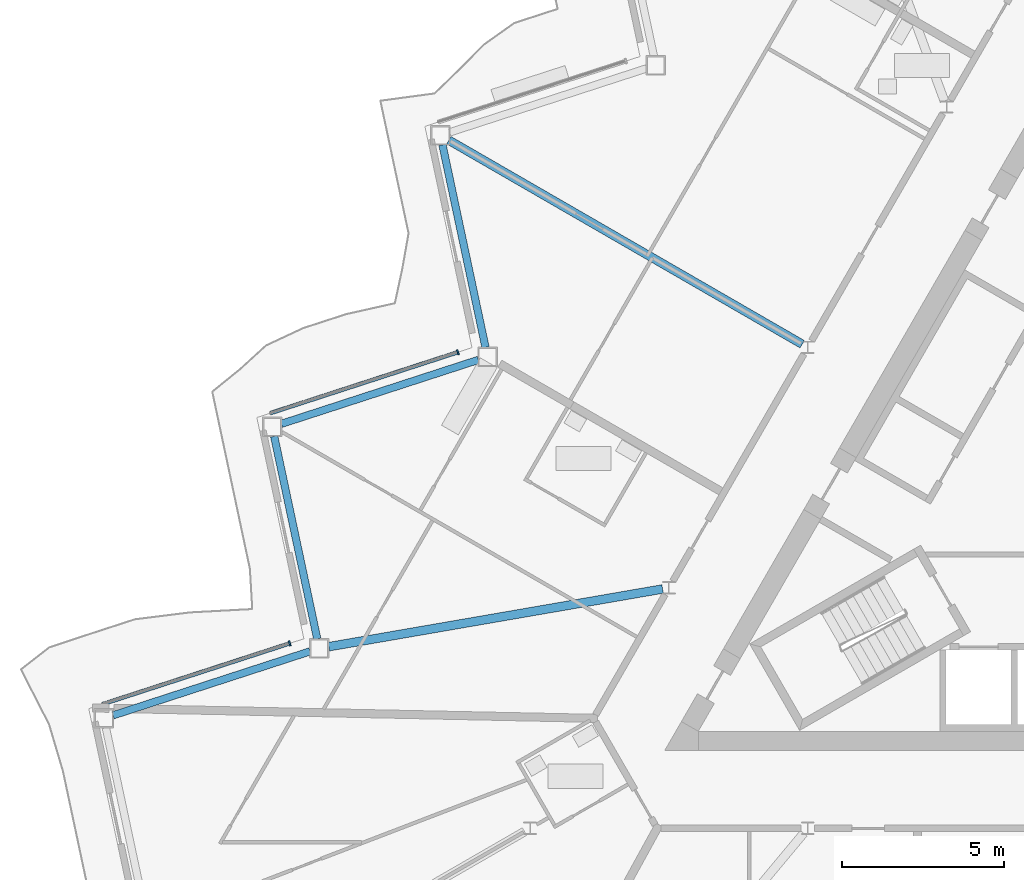
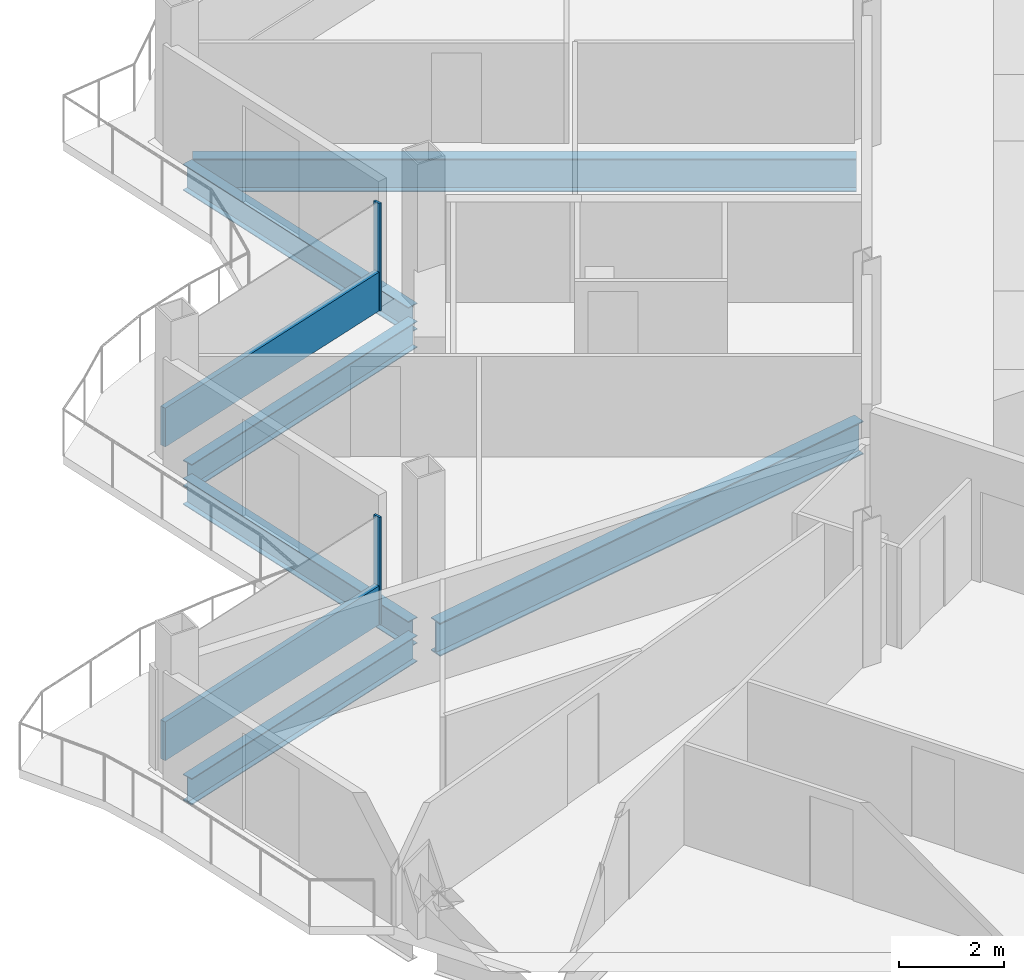
# One storey, part 6 of 27: 6 beams, 4 members, 2 elements without a shape of their own.
"""IFC4 building model written with IfcOpenShell, lengths in metres."""

from ifc_helpers import new_model, si_unit, direction, frame, origin, origin_2d, place, context, subcontext, project, spatial, rectangle, i_section, extrude, material, layer, layer_set, material_profile, profile_set, type_object, element, aggregate, save


model = new_model("IFC4")

# Units and contexts
model_context = context("Model", 3, precision=1e-05, world=origin(), true_north=direction((0.0, 1.0)))
body_context = subcontext(model_context, "Body", "Model", "MODEL_VIEW")
ifc_project = project(units=[si_unit("LENGTHUNIT", "METRE"), si_unit("AREAUNIT", "SQUARE_METRE"), si_unit("VOLUMEUNIT", "CUBIC_METRE"), si_unit("PLANEANGLEUNIT", "RADIAN"), si_unit("MASSUNIT", "GRAM", prefix="KILO")], contexts=[model_context])

# Site, building, storey
site_placement = place(None, origin())
site = spatial("IfcSite", under=ifc_project, at=site_placement, CompositionType="ELEMENT")
building_placement = place(site_placement, origin())
building = spatial("IfcBuilding", under=site, at=building_placement, Name="Cormorant Prow Tower", CompositionType="ELEMENT")
storey_placement = place(building_placement, frame((0.0, 0.0, 318.800048828125)))
storey = spatial("IfcBuildingStorey", under=building, at=storey_placement, Name="L70", CompositionType="ELEMENT", Elevation=318.800048828125)

# Beams
ifc_material_1 = material(Name="Structural steel ASTM A992 Gr 50", Category="steel")
ifc_material_profile_1 = material_profile(ifc_material_1, i_section(OverallWidth=0.267822265625, OverallDepth=0.77001953125, WebThickness=0.015625, FlangeThickness=0.025390625, at=origin_2d()), Name="W30x132")
ifc_profile_set_1 = profile_set([ifc_material_profile_1], Name="Structural steel ASTM A992 Gr 50")
beam_type_1 = type_object("IfcBeamType", Name="Radial floor beam W30x132", PredefinedType="BEAM", material=ifc_profile_set_1)
beam_1_placement = place(storey_placement, frame((-8.749755859375, 5.051513671875, -0.68505859375), z_axis=(-0.866021086443, 0.50000747778, 0.0), x_axis=(-0.50000747778, -0.866021086443, 0.0)))
element("IfcBeam", 1, at=beam_1_placement, inside=storey, type_object=beam_type_1, Name="Radial floor beam FB3 3 L70", PredefinedType="BEAM", context=body_context, shape_type="SweptSolid", body=[
    extrude(i_section(OverallWidth=0.267822265625, OverallDepth=0.77001953125, WebThickness=0.015625, FlangeThickness=0.025390625, at=origin_2d()), origin(), (0.0, 0.0, 1.0), 12.604736328125),
])
beam_2_placement = place(storey_placement, frame((-13.0625, -2.510009765625, -0.68505859375), z_axis=(-0.985379592304, -0.170373293304, 0.0), x_axis=(0.170373293304, -0.985379592304, 0.0)))
element("IfcBeam", 2, at=beam_2_placement, inside=storey, type_object=beam_type_1, Name="Radial floor beam FB3 4 L70", PredefinedType="BEAM", context=body_context, shape_type="SweptSolid", body=[
    extrude(i_section(OverallWidth=0.267822265625, OverallDepth=0.77001953125, WebThickness=0.015625, FlangeThickness=0.025390625, at=origin_2d()), origin(), (0.0, 0.0, 1.0), 10.465087890625),
])

# Curtain wall, member
ifc_material_2 = material(Name="Aluminium 6063-T6", Category="aluminium")
ifc_layer = layer(ifc_material_2, 0.159912109375)
ifc_layer_set = layer_set([ifc_layer], Name="Aluminium 6063-T6")
curtain_wall_type = type_object("IfcCurtainWallType", Name="Residential unitised curtain wall 160", PredefinedType="NOTDEFINED", material=ifc_layer_set)
curtain_wall_1_placement = place(storey_placement, origin())
curtain_wall_1 = element("IfcCurtainWall", 3, at=curtain_wall_1_placement, inside=storey, type_object=curtain_wall_type, Name="Residential curtain wall WNW06", PredefinedType="NOTDEFINED")
ifc_material_3 = material(Name="Aluminium 6063-T6", Category="aluminium")
ifc_material_profile_2 = material_profile(ifc_material_3, rectangle(XDim=0.159912109375, YDim=0.050048828125, at=origin_2d()), Name="Residential mullion 50x160")
ifc_profile_set_2 = profile_set([ifc_material_profile_2], Name="Aluminium 6063-T6")
member_type_1 = type_object("IfcMemberType", Name="Residential mullion 50x160", PredefinedType="MULLION", material=ifc_profile_set_2)
member_1_placement = place(storey_placement, frame((-19.38916015625, 4.80419921875, 0.0), z_axis=(0.0, 0.0, 1.0), x_axis=(0.309016987171, -0.951056518636, 0.0)))
member_1 = element("IfcMember", 4, at=member_1_placement, type_object=member_type_1, Name="Residential mullion WNW06", PredefinedType="MULLION", context=body_context, shape_type="SweptSolid", body=[
    extrude(rectangle(XDim=0.159912109375, YDim=0.050048828125, at=origin_2d()), origin(), (0.0, 0.0, 1.0), 2.48779296875),
])

curtain_wall_2_placement = place(storey_placement, origin())
curtain_wall_2 = element("IfcCurtainWall", 5, at=curtain_wall_2_placement, inside=storey, type_object=curtain_wall_type, Name="Residential curtain wall WNW08", PredefinedType="NOTDEFINED")
member_2_placement = place(storey_placement, frame((-24.58203125, -4.18994140625, 0.0), z_axis=(0.0, 0.0, 1.0), x_axis=(0.309016945109, -0.951056532303, 0.0)))
member_2 = element("IfcMember", 6, at=member_2_placement, type_object=member_type_1, Name="Residential mullion WNW08", PredefinedType="MULLION", context=body_context, shape_type="SweptSolid", body=[
    extrude(rectangle(XDim=0.159912109375, YDim=0.050048828125, at=origin_2d()), origin(), (0.0, 0.0, 1.0), 2.48779296875),
])

# Member
ifc_material_4 = material(Name="Terracotta", Category="masonry")
ifc_material_profile_3 = material_profile(ifc_material_4, rectangle(XDim=0.1201171875, YDim=0.89990234375, at=origin_2d()), Name="Residential terracotta spandrel rail 120x900")
ifc_profile_set_3 = profile_set([ifc_material_profile_3], Name="Terracotta")
member_type_2 = type_object("IfcMemberType", Name="Residential terracotta spandrel rail 120x900", PredefinedType="USERDEFINED", material=ifc_profile_set_3)
member_3_placement = place(storey_placement, frame((-19.412841796875, 4.796630859375, 0.449951171875), z_axis=(-0.951053279859, -0.309026954923, 0.0), x_axis=(0.309026954923, -0.951053279859, 0.0)))
member_3 = element("IfcMember", 7, at=member_3_placement, type_object=member_type_2, Name="Residential spandrel rail WNW06", ObjectType="TRANSOM", PredefinedType="USERDEFINED", context=body_context, shape_type="SweptSolid", body=[
    extrude(rectangle(XDim=0.1201171875, YDim=0.89990234375, at=origin_2d()), origin(), (0.0, 0.0, 1.0), 6.06982421875),
])

aggregate(curtain_wall_1, [member_1, member_3])

member_4_placement = place(storey_placement, frame((-24.605712890625, -4.19775390625, 0.449951171875), z_axis=(-0.951065100651, -0.308990573195, 0.0), x_axis=(0.308990573195, -0.951065100651, 0.0)))
member_4 = element("IfcMember", 8, at=member_4_placement, type_object=member_type_2, Name="Residential spandrel rail WNW08", ObjectType="TRANSOM", PredefinedType="USERDEFINED", context=body_context, shape_type="SweptSolid", body=[
    extrude(rectangle(XDim=0.1201171875, YDim=0.89990234375, at=origin_2d()), origin(), (0.0, 0.0, 1.0), 6.06982421875),
])

aggregate(curtain_wall_2, [member_2, member_4])

# Beams
ifc_material_5 = material(Name="Structural steel ASTM A992 Gr 50", Category="steel")
ifc_material_profile_4 = material_profile(ifc_material_5, i_section(OverallWidth=0.22900390625, OverallDepth=0.612060546875, WebThickness=0.011962890625, FlangeThickness=0.01953125, at=origin_2d()), Name="W24x84")
ifc_profile_set_4 = profile_set([ifc_material_profile_4], Name="Structural steel ASTM A992 Gr 50")
beam_type_2 = type_object("IfcBeamType", Name="Spandrel beam W24x84", PredefinedType="SPANDREL", material=ifc_profile_set_4)
beam_3_placement = place(storey_placement, frame((-19.86328125, 11.210693359375, -0.606201171875), z_axis=(0.20791262393, -0.978147402394, 0.0), x_axis=(0.978147402394, 0.20791262393, 0.0)))
element("IfcBeam", 9, at=beam_3_placement, inside=storey, type_object=beam_type_2, Name="Spandrel beam SB3 WNW05-WNW06 L70", PredefinedType="SPANDREL", context=body_context, shape_type="SweptSolid", body=[
    extrude(i_section(OverallWidth=0.22900390625, OverallDepth=0.612060546875, WebThickness=0.011962890625, FlangeThickness=0.01953125, at=origin_2d()), origin(), (0.0, 0.0, 1.0), 6.396240234375),
])
beam_4_placement = place(storey_placement, frame((-18.75634765625, 4.568115234375, -0.606201171875), z_axis=(-0.951064359156, -0.308992855489, 0.0), x_axis=(0.308992855489, -0.951064359156, 0.0)))
element("IfcBeam", 10, at=beam_4_placement, inside=storey, type_object=beam_type_2, Name="Spandrel beam SB3 WNW06-WNW07 L70", PredefinedType="SPANDREL", context=body_context, shape_type="SweptSolid", body=[
    extrude(i_section(OverallWidth=0.22900390625, OverallDepth=0.612060546875, WebThickness=0.011962890625, FlangeThickness=0.01953125, at=origin_2d()), origin(), (0.0, 0.0, 1.0), 6.39599609375),
])
beam_5_placement = place(storey_placement, frame((-25.062255859375, 2.20556640625, -0.606201171875), z_axis=(0.20791262393, -0.978147402394, 0.0), x_axis=(0.978147402394, 0.20791262393, 0.0)))
element("IfcBeam", 11, at=beam_5_placement, inside=storey, type_object=beam_type_2, Name="Spandrel beam SB3 WNW07-WNW08 L70", PredefinedType="SPANDREL", context=body_context, shape_type="SweptSolid", body=[
    extrude(i_section(OverallWidth=0.22900390625, OverallDepth=0.612060546875, WebThickness=0.011962890625, FlangeThickness=0.01953125, at=origin_2d()), origin(), (0.0, 0.0, 1.0), 6.396240234375),
])
beam_6_placement = place(storey_placement, frame((-23.955322265625, -4.43701171875, -0.606201171875), z_axis=(-0.951064359156, -0.308992855489, 0.0), x_axis=(0.308992855489, -0.951064359156, 0.0)))
element("IfcBeam", 12, at=beam_6_placement, inside=storey, type_object=beam_type_2, Name="Spandrel beam SB3 WNW08-WNW09 L70", PredefinedType="SPANDREL", context=body_context, shape_type="SweptSolid", body=[
    extrude(i_section(OverallWidth=0.22900390625, OverallDepth=0.612060546875, WebThickness=0.011962890625, FlangeThickness=0.01953125, at=origin_2d()), origin(), (0.0, 0.0, 1.0), 6.39599609375),
])

save(model, "model.ifc")
